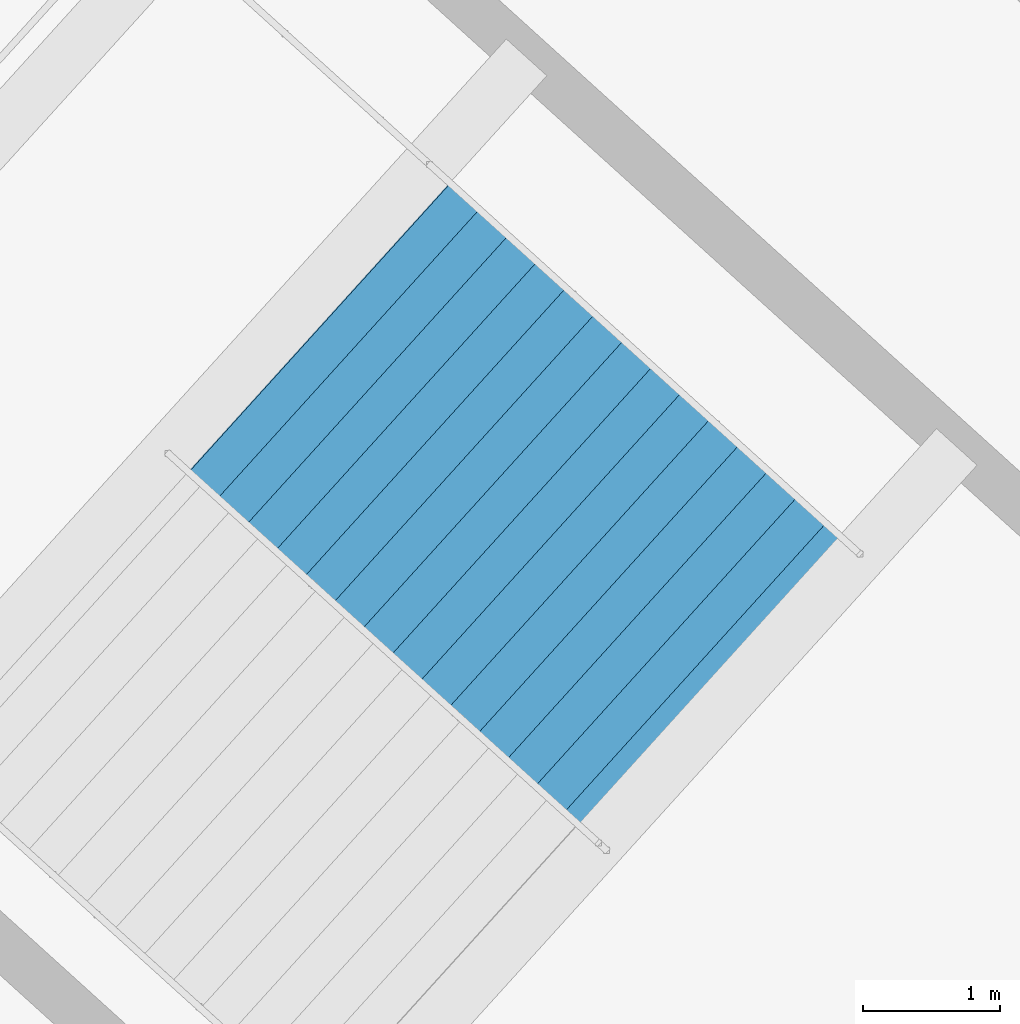
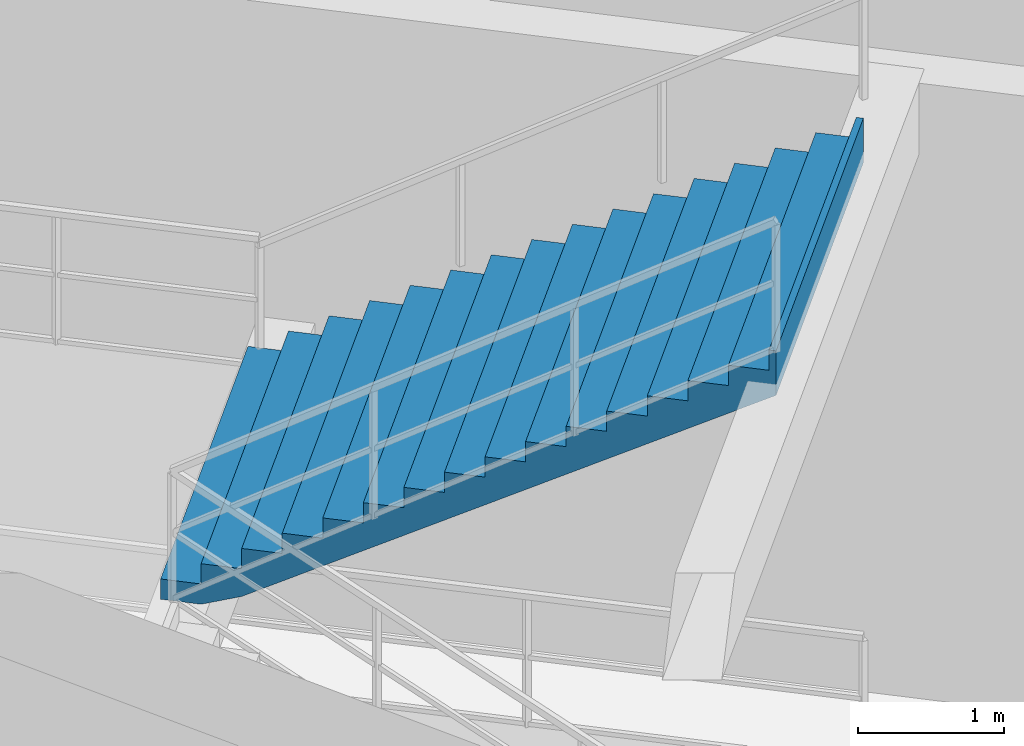
# One storey, part 81 of 86: 1 stair flight, 1 element without a shape of its own.
"""IFC4 building model written with IfcOpenShell, lengths in metres."""

from ifc_helpers import new_model, si_unit, direction, frame, origin, place, context, subcontext, project, spatial, polygons, material, type_object, element, aggregate, save


model = new_model("IFC4")

# Units and contexts
model_context = context("Model", 3, precision=1e-05, world=origin(), true_north=direction((0.0, 1.0)))
body_context = subcontext(model_context, "Body", "Model", "MODEL_VIEW")
ifc_project = project(units=[si_unit("LENGTHUNIT", "METRE"), si_unit("AREAUNIT", "SQUARE_METRE"), si_unit("VOLUMEUNIT", "CUBIC_METRE"), si_unit("PLANEANGLEUNIT", "RADIAN"), si_unit("MASSUNIT", "GRAM", prefix="KILO")], contexts=[model_context])

# Site, building, storey
site_placement = place(None, origin())
site = spatial("IfcSite", under=ifc_project, at=site_placement, CompositionType="ELEMENT")
building_placement = place(site_placement, origin())
building = spatial("IfcBuilding", under=site, at=building_placement, Name="Kazemori Nagisa Stadium", CompositionType="ELEMENT")
storey_placement = place(building_placement, frame((0.0, 0.0, 31.280029296875)))
storey = spatial("IfcBuildingStorey", under=building, at=storey_placement, Name="L06", CompositionType="ELEMENT", Elevation=31.280029296875)

# Stair, stair flight
ifc_material = material(Name="Concrete C36/45 (Fc36)", Category="concrete")
stair_type = type_object("IfcStairType", Name="Stair_CORE_32", PredefinedType="TWO_STRAIGHT_RUN_STAIR", material=ifc_material)
stair_placement = place(storey_placement, origin())
stair = element("IfcStair", 1, at=stair_placement, inside=storey, type_object=stair_type, Name="Exit stair ST01 L06", PredefinedType="TWO_STRAIGHT_RUN_STAIR")
stair_flight_type = type_object("IfcStairFlightType", Name="Flight_CORE_16", PredefinedType="STRAIGHT", material=ifc_material)
stair_flight_placement = place(storey_placement, frame((190.5390625, 161.406005859375, 2.719970703125), z_axis=(0.0, 0.0, 1.0), x_axis=(0.741357156534, -0.671110696127, 0.0)))
stair_flight = element("IfcStairFlight", 2, at=stair_flight_placement, type_object=stair_flight_type, Name="Exit stair ST01 L06 flight 2", NumberOfRisers=16, NumberOfTreads=15, PredefinedType="STRAIGHT", RiserHeight=0.17, TreadLength=0.285, context=body_context, shape_type="Tessellation", body=[
    polygons([(0.0, -1.425048828125, 0.0), (0.0, -1.425048828125, 0.169921875), (0.284912109375, -1.425048828125, 0.169921875), (0.284912109375, -1.425048828125, 0.340087890625), (0.570068359375, -1.425048828125, 0.340087890625), (0.570068359375, -1.425048828125, 0.510009765625), (0.85498046875, -1.425048828125, 0.510009765625), (0.85498046875, -1.425048828125, 0.679931640625), (1.139892578125, -1.425048828125, 0.679931640625), (1.139892578125, -1.425048828125, 0.85009765625), (1.425048828125, -1.425048828125, 0.85009765625), (1.425048828125, -1.425048828125, 1.02001953125), (1.7099609375, -1.425048828125, 1.02001953125), (1.7099609375, -1.425048828125, 1.18994140625), (1.9951171875, -1.425048828125, 1.18994140625), (1.9951171875, -1.425048828125, 1.360107421875), (2.280029296875, -1.425048828125, 1.360107421875), (2.280029296875, -1.425048828125, 1.530029296875), (2.56494140625, -1.425048828125, 1.530029296875), (2.56494140625, -1.425048828125, 1.699951171875), (2.85009765625, -1.425048828125, 1.699951171875), (2.85009765625, -1.425048828125, 1.8701171875), (3.135009765625, -1.425048828125, 1.8701171875), (3.135009765625, -1.425048828125, 2.0400390625), (3.419921875, -1.425048828125, 2.0400390625), (3.419921875, -1.425048828125, 2.2099609375), (3.705078125, -1.425048828125, 2.2099609375), (3.705078125, -1.425048828125, 2.3798828125), (3.989990234375, -1.425048828125, 2.3798828125), (3.989990234375, -1.425048828125, 2.550048828125), (4.27490234375, -1.425048828125, 2.550048828125), (4.27490234375, -1.425048828125, 2.719970703125), (4.324951171875, -1.425048828125, 2.719970703125), (4.324951171875, -1.425048828125, 2.346923828125), (4.27490234375, -1.425048828125, 2.317138671875), (3.989990234375, -1.425048828125, 2.147216796875), (3.705078125, -1.425048828125, 1.977294921875), (3.419921875, -1.425048828125, 1.80712890625), (3.135009765625, -1.425048828125, 1.63720703125), (2.85009765625, -1.425048828125, 1.46728515625), (2.56494140625, -1.425048828125, 1.297119140625), (2.280029296875, -1.425048828125, 1.127197265625), (1.9951171875, -1.425048828125, 0.957275390625), (1.7099609375, -1.425048828125, 0.787109375), (1.425048828125, -1.425048828125, 0.6171875), (1.139892578125, -1.425048828125, 0.447265625), (0.85498046875, -1.425048828125, 0.277099609375), (0.570068359375, -1.425048828125, 0.107177734375), (0.284912109375, -1.425048828125, 0.0), (0.0, -0.08544921875, 0.0), (0.0, -0.08544921875, 0.169921875), (0.284912109375, -0.08544921875, 0.169921875), (0.284912109375, -0.08544921875, 0.340087890625), (0.570068359375, -0.08544921875, 0.340087890625), (0.570068359375, -0.08544921875, 0.510009765625), (0.85498046875, -0.08544921875, 0.510009765625), (0.85498046875, -0.08544921875, 0.679931640625), (1.139892578125, -0.08544921875, 0.679931640625), (1.139892578125, -0.08544921875, 0.85009765625), (1.425048828125, -0.08544921875, 0.85009765625), (1.425048828125, -0.08544921875, 1.02001953125), (1.7099609375, -0.08544921875, 1.02001953125), (1.7099609375, -0.08544921875, 1.18994140625), (1.9951171875, -0.08544921875, 1.18994140625), (1.9951171875, -0.08544921875, 1.360107421875), (2.280029296875, -0.08544921875, 1.360107421875), (2.280029296875, -0.08544921875, 1.530029296875), (2.56494140625, -0.08544921875, 1.530029296875), (2.56494140625, -0.08544921875, 1.699951171875), (2.85009765625, -0.08544921875, 1.699951171875), (2.85009765625, -0.08544921875, 1.8701171875), (3.135009765625, -0.08544921875, 1.8701171875), (3.135009765625, -0.08544921875, 2.0400390625), (3.419921875, -0.08544921875, 2.0400390625), (3.419921875, -0.08544921875, 2.2099609375), (3.705078125, -0.08544921875, 2.2099609375), (3.705078125, -0.08544921875, 2.3798828125), (3.989990234375, -0.08544921875, 2.3798828125), (3.989990234375, -0.08544921875, 2.550048828125), (4.27490234375, -0.08544921875, 2.550048828125), (4.27490234375, -0.08544921875, 2.719970703125), (4.324951171875, -0.08544921875, 2.719970703125), (4.324951171875, -0.08544921875, 2.346923828125), (4.27490234375, -0.08544921875, 2.317138671875), (3.989990234375, -0.08544921875, 2.147216796875), (3.705078125, -0.08544921875, 1.977294921875), (3.419921875, -0.08544921875, 1.80712890625), (3.135009765625, -0.08544921875, 1.63720703125), (2.85009765625, -0.08544921875, 1.46728515625), (2.56494140625, -0.08544921875, 1.297119140625), (2.280029296875, -0.08544921875, 1.127197265625), (1.9951171875, -0.08544921875, 0.957275390625), (1.7099609375, -0.08544921875, 0.787109375), (1.425048828125, -0.08544921875, 0.6171875), (1.139892578125, -0.08544921875, 0.447265625), (0.85498046875, -0.08544921875, 0.277099609375), (0.570068359375, -0.08544921875, 0.107177734375), (0.284912109375, -0.08544921875, 0.0), (0.0, 0.0, 0.0), (0.0, 0.0, 0.169921875), (0.284912109375, 0.0, 0.169921875), (0.284912109375, 0.0, 0.340087890625), (0.570068359375, 0.0, 0.340087890625), (0.570068359375, 0.0, 0.510009765625), (0.85498046875, 0.0, 0.510009765625), (0.85498046875, 0.0, 0.679931640625), (1.139892578125, 0.0, 0.679931640625), (1.139892578125, 0.0, 0.85009765625), (1.425048828125, 0.0, 0.85009765625), (1.425048828125, 0.0, 1.02001953125), (1.7099609375, 0.0, 1.02001953125), (1.7099609375, 0.0, 1.18994140625), (1.9951171875, 0.0, 1.18994140625), (1.9951171875, 0.0, 1.360107421875), (2.280029296875, 0.0, 1.360107421875), (2.280029296875, 0.0, 1.530029296875), (2.56494140625, 0.0, 1.530029296875), (2.56494140625, 0.0, 1.699951171875), (2.85009765625, 0.0, 1.699951171875), (2.85009765625, 0.0, 1.8701171875), (3.135009765625, 0.0, 1.8701171875), (3.135009765625, 0.0, 2.0400390625), (3.419921875, 0.0, 2.0400390625), (3.419921875, 0.0, 2.2099609375), (3.705078125, 0.0, 2.2099609375), (3.705078125, 0.0, 2.3798828125), (3.989990234375, 0.0, 2.3798828125), (3.989990234375, 0.0, 2.550048828125), (4.27490234375, 0.0, 2.550048828125), (4.27490234375, 0.0, 2.719970703125), (4.324951171875, 0.0, 2.719970703125), (4.324951171875, 0.0, 2.346923828125), (4.27490234375, 0.0, 2.317138671875), (3.989990234375, 0.0, 2.147216796875), (3.705078125, 0.0, 1.977294921875), (3.419921875, 0.0, 1.80712890625), (3.135009765625, 0.0, 1.63720703125), (2.85009765625, 0.0, 1.46728515625), (2.56494140625, 0.0, 1.297119140625), (2.280029296875, 0.0, 1.127197265625), (1.9951171875, 0.0, 0.957275390625), (1.7099609375, 0.0, 0.787109375), (1.425048828125, 0.0, 0.6171875), (1.139892578125, 0.0, 0.447265625), (0.85498046875, 0.0, 0.277099609375), (0.570068359375, 0.0, 0.107177734375), (0.284912109375, 0.0, 0.0), (0.0, 0.08544921875, 0.0), (0.0, 0.08544921875, 0.169921875), (0.284912109375, 0.08544921875, 0.169921875), (0.284912109375, 0.08544921875, 0.340087890625), (0.570068359375, 0.08544921875, 0.340087890625), (0.570068359375, 0.08544921875, 0.510009765625), (0.85498046875, 0.08544921875, 0.510009765625), (0.85498046875, 0.08544921875, 0.679931640625), (1.139892578125, 0.08544921875, 0.679931640625), (1.139892578125, 0.08544921875, 0.85009765625), (1.425048828125, 0.08544921875, 0.85009765625), (1.425048828125, 0.08544921875, 1.02001953125), (1.7099609375, 0.08544921875, 1.02001953125), (1.7099609375, 0.08544921875, 1.18994140625), (1.9951171875, 0.08544921875, 1.18994140625), (1.9951171875, 0.08544921875, 1.360107421875), (2.280029296875, 0.08544921875, 1.360107421875), (2.280029296875, 0.08544921875, 1.530029296875), (2.56494140625, 0.08544921875, 1.530029296875), (2.56494140625, 0.08544921875, 1.699951171875), (2.85009765625, 0.08544921875, 1.699951171875), (2.85009765625, 0.08544921875, 1.8701171875), (3.135009765625, 0.08544921875, 1.8701171875), (3.135009765625, 0.08544921875, 2.0400390625), (3.419921875, 0.08544921875, 2.0400390625), (3.419921875, 0.08544921875, 2.2099609375), (3.705078125, 0.08544921875, 2.2099609375), (3.705078125, 0.08544921875, 2.3798828125), (3.989990234375, 0.08544921875, 2.3798828125), (3.989990234375, 0.08544921875, 2.550048828125), (4.27490234375, 0.08544921875, 2.550048828125), (4.27490234375, 0.08544921875, 2.719970703125), (4.324951171875, 0.08544921875, 2.719970703125), (4.324951171875, 0.08544921875, 2.346923828125), (4.27490234375, 0.08544921875, 2.317138671875), (3.989990234375, 0.08544921875, 2.147216796875), (3.705078125, 0.08544921875, 1.977294921875), (3.419921875, 0.08544921875, 1.80712890625), (3.135009765625, 0.08544921875, 1.63720703125), (2.85009765625, 0.08544921875, 1.46728515625), (2.56494140625, 0.08544921875, 1.297119140625), (2.280029296875, 0.08544921875, 1.127197265625), (1.9951171875, 0.08544921875, 0.957275390625), (1.7099609375, 0.08544921875, 0.787109375), (1.425048828125, 0.08544921875, 0.6171875), (1.139892578125, 0.08544921875, 0.447265625), (0.85498046875, 0.08544921875, 0.277099609375), (0.570068359375, 0.08544921875, 0.107177734375), (0.284912109375, 0.08544921875, 0.0), (0.0, 1.425048828125, 0.0), (0.0, 1.425048828125, 0.169921875), (0.284912109375, 1.425048828125, 0.169921875), (0.284912109375, 1.425048828125, 0.340087890625), (0.570068359375, 1.425048828125, 0.340087890625), (0.570068359375, 1.425048828125, 0.510009765625), (0.85498046875, 1.425048828125, 0.510009765625), (0.85498046875, 1.425048828125, 0.679931640625), (1.139892578125, 1.425048828125, 0.679931640625), (1.139892578125, 1.425048828125, 0.85009765625), (1.425048828125, 1.425048828125, 0.85009765625), (1.425048828125, 1.425048828125, 1.02001953125), (1.7099609375, 1.425048828125, 1.02001953125), (1.7099609375, 1.425048828125, 1.18994140625), (1.9951171875, 1.425048828125, 1.18994140625), (1.9951171875, 1.425048828125, 1.360107421875), (2.280029296875, 1.425048828125, 1.360107421875), (2.280029296875, 1.425048828125, 1.530029296875), (2.56494140625, 1.425048828125, 1.530029296875), (2.56494140625, 1.425048828125, 1.699951171875), (2.85009765625, 1.425048828125, 1.699951171875), (2.85009765625, 1.425048828125, 1.8701171875), (3.135009765625, 1.425048828125, 1.8701171875), (3.135009765625, 1.425048828125, 2.0400390625), (3.419921875, 1.425048828125, 2.0400390625), (3.419921875, 1.425048828125, 2.2099609375), (3.705078125, 1.425048828125, 2.2099609375), (3.705078125, 1.425048828125, 2.3798828125), (3.989990234375, 1.425048828125, 2.3798828125), (3.989990234375, 1.425048828125, 2.550048828125), (4.27490234375, 1.425048828125, 2.550048828125), (4.27490234375, 1.425048828125, 2.719970703125), (4.324951171875, 1.425048828125, 2.719970703125), (4.324951171875, 1.425048828125, 2.346923828125), (4.27490234375, 1.425048828125, 2.317138671875), (3.989990234375, 1.425048828125, 2.147216796875), (3.705078125, 1.425048828125, 1.977294921875), (3.419921875, 1.425048828125, 1.80712890625), (3.135009765625, 1.425048828125, 1.63720703125), (2.85009765625, 1.425048828125, 1.46728515625), (2.56494140625, 1.425048828125, 1.297119140625), (2.280029296875, 1.425048828125, 1.127197265625), (1.9951171875, 1.425048828125, 0.957275390625), (1.7099609375, 1.425048828125, 0.787109375), (1.425048828125, 1.425048828125, 0.6171875), (1.139892578125, 1.425048828125, 0.447265625), (0.85498046875, 1.425048828125, 0.277099609375), (0.570068359375, 1.425048828125, 0.107177734375), (0.284912109375, 1.425048828125, 0.0)], [[[1, 2, 51]], [[1, 51, 50]], [[2, 3, 52]], [[2, 52, 51]], [[3, 4, 53]], [[3, 53, 52]], [[4, 5, 54]], [[4, 54, 53]], [[5, 6, 55]], [[5, 55, 54]], [[6, 7, 56]], [[6, 56, 55]], [[7, 8, 57]], [[7, 57, 56]], [[8, 9, 58]], [[8, 58, 57]], [[9, 10, 59]], [[9, 59, 58]], [[10, 11, 60]], [[10, 60, 59]], [[11, 12, 61]], [[11, 61, 60]], [[12, 13, 62]], [[12, 62, 61]], [[13, 14, 63]], [[13, 63, 62]], [[14, 15, 64]], [[14, 64, 63]], [[15, 16, 65]], [[15, 65, 64]], [[16, 17, 66]], [[16, 66, 65]], [[17, 18, 67]], [[17, 67, 66]], [[18, 19, 68]], [[18, 68, 67]], [[19, 20, 69]], [[19, 69, 68]], [[20, 21, 70]], [[20, 70, 69]], [[21, 22, 71]], [[21, 71, 70]], [[22, 23, 72]], [[22, 72, 71]], [[23, 24, 73]], [[23, 73, 72]], [[24, 25, 74]], [[24, 74, 73]], [[25, 26, 75]], [[25, 75, 74]], [[26, 27, 76]], [[26, 76, 75]], [[27, 28, 77]], [[27, 77, 76]], [[28, 29, 78]], [[28, 78, 77]], [[29, 30, 79]], [[29, 79, 78]], [[30, 31, 80]], [[30, 80, 79]], [[31, 32, 81]], [[31, 81, 80]], [[32, 33, 82]], [[32, 82, 81]], [[33, 34, 83]], [[33, 83, 82]], [[34, 35, 84]], [[34, 84, 83]], [[35, 36, 85]], [[35, 85, 84]], [[36, 37, 86]], [[36, 86, 85]], [[37, 38, 87]], [[37, 87, 86]], [[38, 39, 88]], [[38, 88, 87]], [[39, 40, 89]], [[39, 89, 88]], [[40, 41, 90]], [[40, 90, 89]], [[41, 42, 91]], [[41, 91, 90]], [[42, 43, 92]], [[42, 92, 91]], [[43, 44, 93]], [[43, 93, 92]], [[44, 45, 94]], [[44, 94, 93]], [[45, 46, 95]], [[45, 95, 94]], [[46, 47, 96]], [[46, 96, 95]], [[47, 48, 97]], [[47, 97, 96]], [[48, 49, 98]], [[48, 98, 97]], [[49, 1, 50]], [[49, 50, 98]], [[50, 51, 100]], [[50, 100, 99]], [[51, 52, 101]], [[51, 101, 100]], [[52, 53, 102]], [[52, 102, 101]], [[53, 54, 103]], [[53, 103, 102]], [[54, 55, 104]], [[54, 104, 103]], [[55, 56, 105]], [[55, 105, 104]], [[56, 57, 106]], [[56, 106, 105]], [[57, 58, 107]], [[57, 107, 106]], [[58, 59, 108]], [[58, 108, 107]], [[59, 60, 109]], [[59, 109, 108]], [[60, 61, 110]], [[60, 110, 109]], [[61, 62, 111]], [[61, 111, 110]], [[62, 63, 112]], [[62, 112, 111]], [[63, 64, 113]], [[63, 113, 112]], [[64, 65, 114]], [[64, 114, 113]], [[65, 66, 115]], [[65, 115, 114]], [[66, 67, 116]], [[66, 116, 115]], [[67, 68, 117]], [[67, 117, 116]], [[68, 69, 118]], [[68, 118, 117]], [[69, 70, 119]], [[69, 119, 118]], [[70, 71, 120]], [[70, 120, 119]], [[71, 72, 121]], [[71, 121, 120]], [[72, 73, 122]], [[72, 122, 121]], [[73, 74, 123]], [[73, 123, 122]], [[74, 75, 124]], [[74, 124, 123]], [[75, 76, 125]], [[75, 125, 124]], [[76, 77, 126]], [[76, 126, 125]], [[77, 78, 127]], [[77, 127, 126]], [[78, 79, 128]], [[78, 128, 127]], [[79, 80, 129]], [[79, 129, 128]], [[80, 81, 130]], [[80, 130, 129]], [[81, 82, 131]], [[81, 131, 130]], [[82, 83, 132]], [[82, 132, 131]], [[83, 84, 133]], [[83, 133, 132]], [[84, 85, 134]], [[84, 134, 133]], [[85, 86, 135]], [[85, 135, 134]], [[86, 87, 136]], [[86, 136, 135]], [[87, 88, 137]], [[87, 137, 136]], [[88, 89, 138]], [[88, 138, 137]], [[89, 90, 139]], [[89, 139, 138]], [[90, 91, 140]], [[90, 140, 139]], [[91, 92, 141]], [[91, 141, 140]], [[92, 93, 142]], [[92, 142, 141]], [[93, 94, 143]], [[93, 143, 142]], [[94, 95, 144]], [[94, 144, 143]], [[95, 96, 145]], [[95, 145, 144]], [[96, 97, 146]], [[96, 146, 145]], [[97, 98, 147]], [[97, 147, 146]], [[98, 50, 99]], [[98, 99, 147]], [[99, 100, 149]], [[99, 149, 148]], [[100, 101, 150]], [[100, 150, 149]], [[101, 102, 151]], [[101, 151, 150]], [[102, 103, 152]], [[102, 152, 151]], [[103, 104, 153]], [[103, 153, 152]], [[104, 105, 154]], [[104, 154, 153]], [[105, 106, 155]], [[105, 155, 154]], [[106, 107, 156]], [[106, 156, 155]], [[107, 108, 157]], [[107, 157, 156]], [[108, 109, 158]], [[108, 158, 157]], [[109, 110, 159]], [[109, 159, 158]], [[110, 111, 160]], [[110, 160, 159]], [[111, 112, 161]], [[111, 161, 160]], [[112, 113, 162]], [[112, 162, 161]], [[113, 114, 163]], [[113, 163, 162]], [[114, 115, 164]], [[114, 164, 163]], [[115, 116, 165]], [[115, 165, 164]], [[116, 117, 166]], [[116, 166, 165]], [[117, 118, 167]], [[117, 167, 166]], [[118, 119, 168]], [[118, 168, 167]], [[119, 120, 169]], [[119, 169, 168]], [[120, 121, 170]], [[120, 170, 169]], [[121, 122, 171]], [[121, 171, 170]], [[122, 123, 172]], [[122, 172, 171]], [[123, 124, 173]], [[123, 173, 172]], [[124, 125, 174]], [[124, 174, 173]], [[125, 126, 175]], [[125, 175, 174]], [[126, 127, 176]], [[126, 176, 175]], [[127, 128, 177]], [[127, 177, 176]], [[128, 129, 178]], [[128, 178, 177]], [[129, 130, 179]], [[129, 179, 178]], [[130, 131, 180]], [[130, 180, 179]], [[131, 132, 181]], [[131, 181, 180]], [[132, 133, 182]], [[132, 182, 181]], [[133, 134, 183]], [[133, 183, 182]], [[134, 135, 184]], [[134, 184, 183]], [[135, 136, 185]], [[135, 185, 184]], [[136, 137, 186]], [[136, 186, 185]], [[137, 138, 187]], [[137, 187, 186]], [[138, 139, 188]], [[138, 188, 187]], [[139, 140, 189]], [[139, 189, 188]], [[140, 141, 190]], [[140, 190, 189]], [[141, 142, 191]], [[141, 191, 190]], [[142, 143, 192]], [[142, 192, 191]], [[143, 144, 193]], [[143, 193, 192]], [[144, 145, 194]], [[144, 194, 193]], [[145, 146, 195]], [[145, 195, 194]], [[146, 147, 196]], [[146, 196, 195]], [[147, 99, 148]], [[147, 148, 196]], [[148, 149, 198]], [[148, 198, 197]], [[149, 150, 199]], [[149, 199, 198]], [[150, 151, 200]], [[150, 200, 199]], [[151, 152, 201]], [[151, 201, 200]], [[152, 153, 202]], [[152, 202, 201]], [[153, 154, 203]], [[153, 203, 202]], [[154, 155, 204]], [[154, 204, 203]], [[155, 156, 205]], [[155, 205, 204]], [[156, 157, 206]], [[156, 206, 205]], [[157, 158, 207]], [[157, 207, 206]], [[158, 159, 208]], [[158, 208, 207]], [[159, 160, 209]], [[159, 209, 208]], [[160, 161, 210]], [[160, 210, 209]], [[161, 162, 211]], [[161, 211, 210]], [[162, 163, 212]], [[162, 212, 211]], [[163, 164, 213]], [[163, 213, 212]], [[164, 165, 214]], [[164, 214, 213]], [[165, 166, 215]], [[165, 215, 214]], [[166, 167, 216]], [[166, 216, 215]], [[167, 168, 217]], [[167, 217, 216]], [[168, 169, 218]], [[168, 218, 217]], [[169, 170, 219]], [[169, 219, 218]], [[170, 171, 220]], [[170, 220, 219]], [[171, 172, 221]], [[171, 221, 220]], [[172, 173, 222]], [[172, 222, 221]], [[173, 174, 223]], [[173, 223, 222]], [[174, 175, 224]], [[174, 224, 223]], [[175, 176, 225]], [[175, 225, 224]], [[176, 177, 226]], [[176, 226, 225]], [[177, 178, 227]], [[177, 227, 226]], [[178, 179, 228]], [[178, 228, 227]], [[179, 180, 229]], [[179, 229, 228]], [[180, 181, 230]], [[180, 230, 229]], [[181, 182, 231]], [[181, 231, 230]], [[182, 183, 232]], [[182, 232, 231]], [[183, 184, 233]], [[183, 233, 232]], [[184, 185, 234]], [[184, 234, 233]], [[185, 186, 235]], [[185, 235, 234]], [[186, 187, 236]], [[186, 236, 235]], [[187, 188, 237]], [[187, 237, 236]], [[188, 189, 238]], [[188, 238, 237]], [[189, 190, 239]], [[189, 239, 238]], [[190, 191, 240]], [[190, 240, 239]], [[191, 192, 241]], [[191, 241, 240]], [[192, 193, 242]], [[192, 242, 241]], [[193, 194, 243]], [[193, 243, 242]], [[194, 195, 244]], [[194, 244, 243]], [[195, 196, 245]], [[195, 245, 244]], [[196, 148, 197]], [[196, 197, 245]], [[3, 2, 1]], [[197, 198, 199]], [[49, 3, 1]], [[197, 199, 245]], [[48, 3, 49]], [[245, 199, 244]], [[5, 3, 48]], [[244, 199, 201]], [[5, 4, 3]], [[199, 200, 201]], [[47, 5, 48]], [[244, 201, 243]], [[7, 5, 47]], [[243, 201, 203]], [[7, 6, 5]], [[201, 202, 203]], [[46, 7, 47]], [[243, 203, 242]], [[9, 7, 46]], [[242, 203, 205]], [[9, 8, 7]], [[203, 204, 205]], [[45, 9, 46]], [[242, 205, 241]], [[11, 9, 45]], [[241, 205, 207]], [[11, 10, 9]], [[205, 206, 207]], [[44, 11, 45]], [[241, 207, 240]], [[13, 11, 44]], [[240, 207, 209]], [[13, 12, 11]], [[207, 208, 209]], [[43, 13, 44]], [[240, 209, 239]], [[15, 13, 43]], [[239, 209, 211]], [[15, 14, 13]], [[209, 210, 211]], [[42, 15, 43]], [[239, 211, 238]], [[17, 15, 42]], [[238, 211, 213]], [[17, 16, 15]], [[211, 212, 213]], [[41, 17, 42]], [[238, 213, 237]], [[19, 17, 41]], [[237, 213, 215]], [[19, 18, 17]], [[213, 214, 215]], [[40, 19, 41]], [[237, 215, 236]], [[21, 19, 40]], [[236, 215, 217]], [[21, 20, 19]], [[215, 216, 217]], [[39, 21, 40]], [[236, 217, 235]], [[23, 21, 39]], [[235, 217, 219]], [[23, 22, 21]], [[217, 218, 219]], [[38, 23, 39]], [[235, 219, 234]], [[25, 23, 38]], [[234, 219, 221]], [[25, 24, 23]], [[219, 220, 221]], [[37, 25, 38]], [[234, 221, 233]], [[27, 25, 37]], [[233, 221, 223]], [[27, 26, 25]], [[221, 222, 223]], [[36, 27, 37]], [[233, 223, 232]], [[29, 27, 36]], [[232, 223, 225]], [[29, 28, 27]], [[223, 224, 225]], [[35, 29, 36]], [[232, 225, 231]], [[31, 29, 35]], [[231, 225, 227]], [[31, 30, 29]], [[225, 226, 227]], [[34, 31, 35]], [[231, 227, 230]], [[33, 31, 34]], [[230, 227, 229]], [[33, 32, 31]], [[227, 228, 229]]], closed=True),
])
aggregate(stair, [stair_flight])

save(model, "model.ifc")
